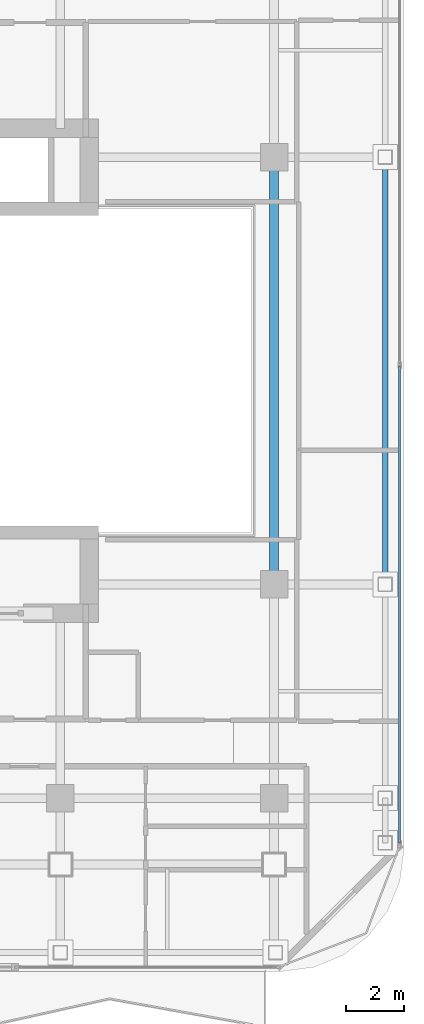
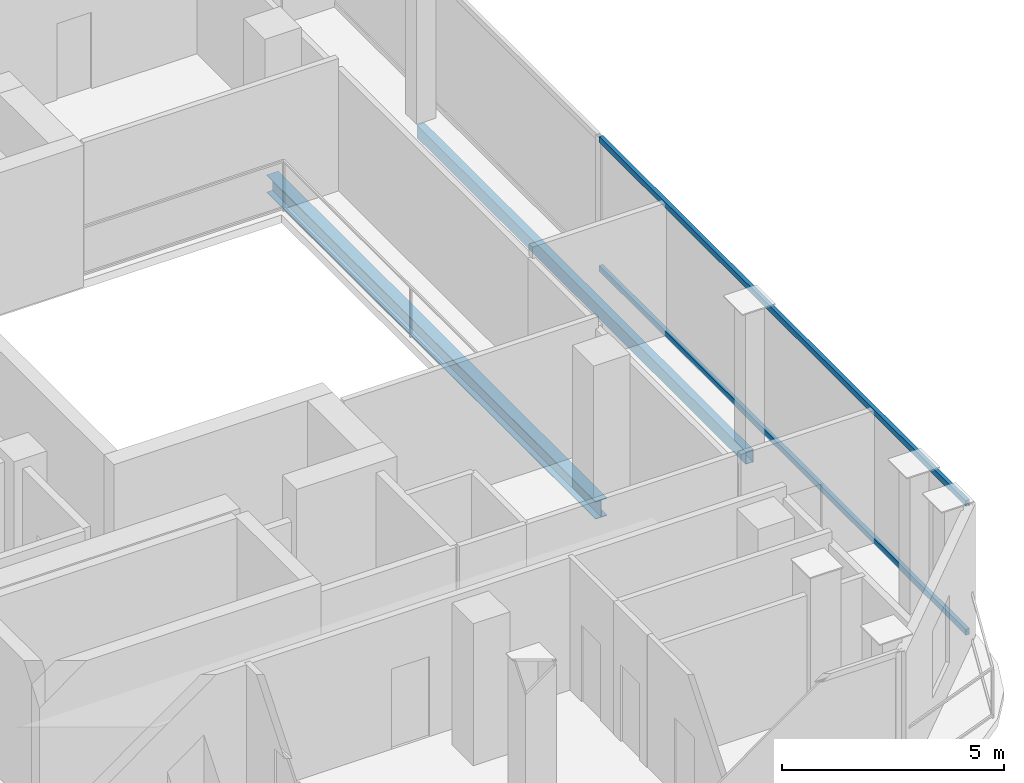
# One storey, part 8 of 22: 2 beams, 2 members, 1 element without a shape of its own.
"""IFC4 building model written with IfcOpenShell, lengths in metres."""

from ifc_helpers import new_model, si_unit, direction, frame, origin, origin_2d, place, context, subcontext, project, spatial, hollow_rectangle, i_section, extrude, material, layer, layer_set, material_profile, profile_set, type_object, element, aggregate, save


model = new_model("IFC4")

# Units and contexts
model_context = context("Model", 3, precision=1e-05, world=origin(), true_north=direction((0.0, 1.0)))
body_context = subcontext(model_context, "Body", "Model", "MODEL_VIEW")
ifc_project = project(units=[si_unit("LENGTHUNIT", "METRE"), si_unit("AREAUNIT", "SQUARE_METRE"), si_unit("VOLUMEUNIT", "CUBIC_METRE"), si_unit("PLANEANGLEUNIT", "RADIAN"), si_unit("MASSUNIT", "GRAM", prefix="KILO")], contexts=[model_context])

# Site, building, storey
site_placement = place(None, origin())
site = spatial("IfcSite", under=ifc_project, at=site_placement, CompositionType="ELEMENT")
building_placement = place(site_placement, origin())
building = spatial("IfcBuilding", under=site, at=building_placement, Name="Khorvyn Point Tower", CompositionType="ELEMENT")
storey_placement = place(building_placement, frame((0.0, 0.0, 309.300048828125)))
storey = spatial("IfcBuildingStorey", under=building, at=storey_placement, Name="L76", CompositionType="ELEMENT", Elevation=309.300048828125)

# Curtain wall, members
ifc_material_1 = material(Name="Anodised aluminium 6063-T6 and laminated Low-E glass", Category="aluminium")
ifc_layer = layer(ifc_material_1, 0.18994140625)
ifc_layer_set = layer_set([ifc_layer], Name="Stick-Built High-Wind Curtain Wall CW-SYS-04")
curtain_wall_type = type_object("IfcCurtainWallType", Name="Stick-Built High-Wind Curtain Wall CW-SYS-04", PredefinedType="NOTDEFINED", material=ifc_layer_set)
curtain_wall_placement = place(storey_placement, origin())
curtain_wall = element("IfcCurtainWall", 1, at=curtain_wall_placement, inside=storey, type_object=curtain_wall_type, Name="Curtain Wall", PredefinedType="NOTDEFINED")
ifc_material_2 = material(Name="Anodised aluminium 6063-T6", Category="aluminium")
ifc_material_profile_1 = material_profile(ifc_material_2, hollow_rectangle(XDim=0.10009765625, YDim=0.159912109375, WallThickness=0.00439453125, at=origin_2d()))
ifc_profile_set_1 = profile_set([ifc_material_profile_1], Name="Anodised aluminium 6063-T6 ALU-TRN-100x160")
member_type = type_object("IfcMemberType", Name="Anodised Aluminium 6063-T6 Transom ALU-TRN-100x160", PredefinedType="USERDEFINED", material=ifc_profile_set_1)
member_1_placement = place(storey_placement, frame((19.14990234375, 0.14990234375, 0.050048828125), z_axis=(0.0, -1.0, 0.0), x_axis=(1.0, 0.0, 0.0)))
member_1 = element("IfcMember", 2, at=member_1_placement, type_object=member_type, Name="Transom", ObjectType="TRANSOM", PredefinedType="USERDEFINED", context=body_context, shape_type="SweptSolid", body=[
    extrude(hollow_rectangle(XDim=0.10009765625, YDim=0.159912109375, WallThickness=0.00439453125, at=origin_2d()), origin(), (0.0, 0.0, 1.0), 16.5),
])
member_2_placement = place(storey_placement, frame((19.14990234375, 0.14990234375, 3.58984375), z_axis=(0.0, -1.0, 0.0), x_axis=(1.0, 0.0, 0.0)))
member_2 = element("IfcMember", 3, at=member_2_placement, type_object=member_type, Name="Transom", ObjectType="TRANSOM", PredefinedType="USERDEFINED", context=body_context, shape_type="SweptSolid", body=[
    extrude(hollow_rectangle(XDim=0.10009765625, YDim=0.159912109375, WallThickness=0.00439453125, at=origin_2d()), origin(), (0.0, 0.0, 1.0), 16.5),
])
aggregate(curtain_wall, [member_1, member_2])

# Beams
ifc_material_3 = material(Name="Steel S355", Category="steel")
ifc_material_profile_2 = material_profile(ifc_material_3, i_section(OverallWidth=0.300048828125, OverallDepth=0.488037109375, WebThickness=0.010986328125, FlangeThickness=0.01806640625, at=origin_2d()))
ifc_profile_set_2 = profile_set([ifc_material_profile_2], Name="Steel S355 H488x300x11x18")
beam_type_1 = type_object("IfcBeamType", Name="Steel S355 Spandrel H488x300x11x18", PredefinedType="SPANDREL", material=ifc_profile_set_2)
beam_1_placement = place(storey_placement, frame((14.800048828125, -7.39990234375, -0.464111328125), z_axis=(0.0, 1.0, 0.0), x_axis=(-1.0, 0.0, 0.0)))
element("IfcBeam", 4, at=beam_1_placement, inside=storey, type_object=beam_type_1, Name="Beam", PredefinedType="SPANDREL", context=body_context, shape_type="SweptSolid", body=[
    extrude(i_section(OverallWidth=0.300048828125, OverallDepth=0.488037109375, WebThickness=0.010986328125, FlangeThickness=0.01806640625, at=origin_2d()), origin(), (0.0, 0.0, 1.0), 14.7998046875),
])
ifc_material_profile_3 = material_profile(ifc_material_3, hollow_rectangle(XDim=0.199951171875, YDim=0.35009765625, WallThickness=0.013916015625, at=origin_2d()))
ifc_profile_set_3 = profile_set([ifc_material_profile_3], Name="Steel S355 RHS350x200x14")
beam_type_2 = type_object("IfcBeamType", Name="Steel S355 Spandrel RHS350x200x14", PredefinedType="SPANDREL", material=ifc_profile_set_3)
beam_2_placement = place(storey_placement, frame((18.64990234375, -7.39990234375, -0.39501953125), z_axis=(0.0, 1.0, 0.0), x_axis=(-1.0, 0.0, 0.0)))
element("IfcBeam", 5, at=beam_2_placement, inside=storey, type_object=beam_type_2, Name="Beam", PredefinedType="SPANDREL", context=body_context, shape_type="SweptSolid", body=[
    extrude(hollow_rectangle(XDim=0.199951171875, YDim=0.35009765625, WallThickness=0.013916015625, at=origin_2d()), origin(), (0.0, 0.0, 1.0), 14.7998046875),
])

save(model, "model.ifc")
